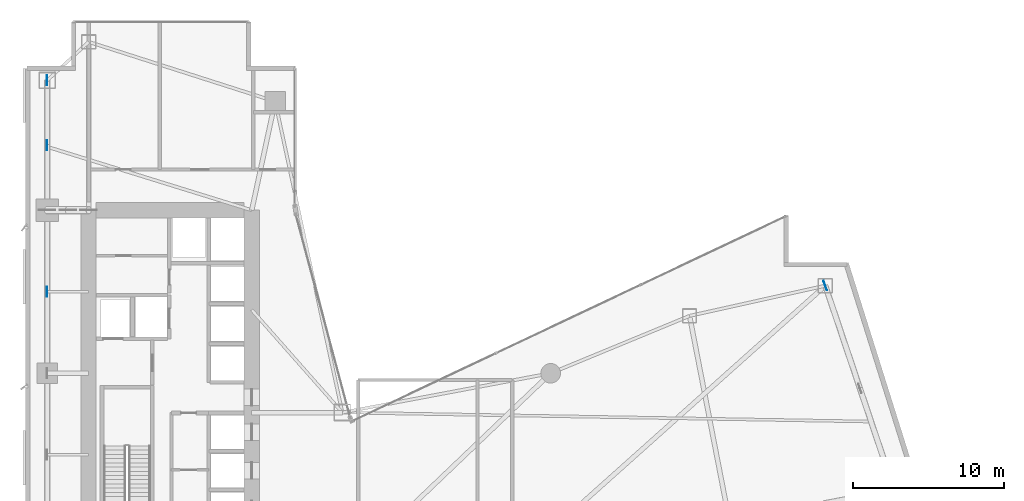
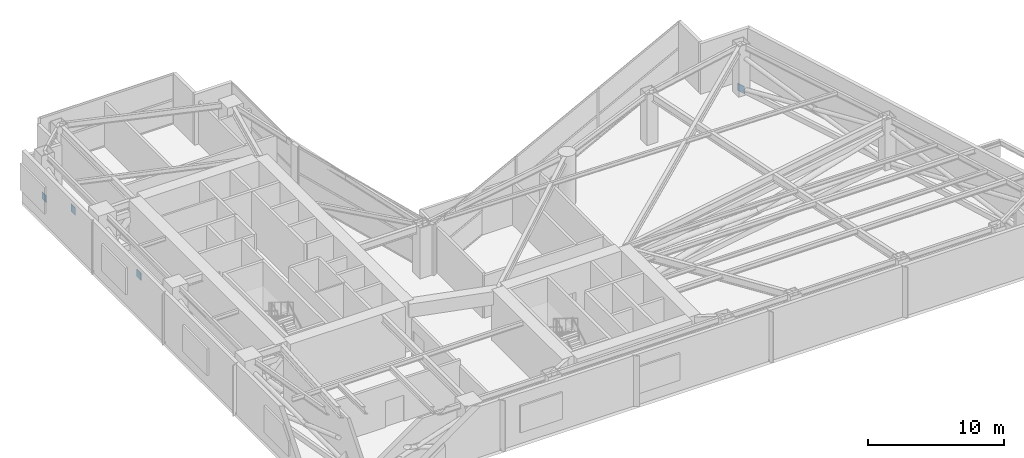
# One storey, part 12 of 18: 4 plates.
"""IFC4 building model written with IfcOpenShell, lengths in metres."""

from ifc_helpers import new_model, si_unit, direction, frame, origin, origin_2d, place, context, subcontext, project, spatial, rectangle, extrude, material, layer, layer_set, type_object, element, save


model = new_model("IFC4")

# Units and contexts
model_context = context("Model", 3, precision=1e-05, world=origin(), true_north=direction((0.0, 1.0)))
body_context = subcontext(model_context, "Body", "Model", "MODEL_VIEW")
ifc_project = project(units=[si_unit("LENGTHUNIT", "METRE"), si_unit("AREAUNIT", "SQUARE_METRE"), si_unit("VOLUMEUNIT", "CUBIC_METRE"), si_unit("PLANEANGLEUNIT", "RADIAN"), si_unit("MASSUNIT", "GRAM", prefix="KILO")], contexts=[model_context])

# Site, building, storey
site_placement = place(None, origin())
site = spatial("IfcSite", under=ifc_project, at=site_placement, CompositionType="ELEMENT")
building_placement = place(site_placement, origin())
building = spatial("IfcBuilding", under=site, at=building_placement, Name="Calvorn Quay Hotel", CompositionType="ELEMENT")
storey_placement = place(building_placement, frame((0.0, 0.0, 46.0)))
storey = spatial("IfcBuildingStorey", under=building, at=storey_placement, Name="L10", CompositionType="ELEMENT", Elevation=46.0)

# Plates
ifc_material = material(Name="Steel Q390GJC", Category="steel")
ifc_layer = layer(ifc_material, 0.035888671875)
ifc_layer_set = layer_set([ifc_layer], Name="PLT-GUSSET-36")
plate_type = type_object("IfcPlateType", Name="PLT-GUSSET-36", PredefinedType="SHEET", material=ifc_layer_set)
for number, where, z_axis, x_axis, name in (
    (1, (1.449951171875, 33.0, 1.52001953125), (0.0, 0.0, 1.0), (0.0, 1.0, 0.0), "Belt Truss Gusset Plate L10-BW3-X"),
    (2, (1.449951171875, 42.699951171875, 1.52001953125), (0.0, 0.0, 1.0), (0.0, 1.0, 0.0), "Belt Truss Gusset Plate L10-BW4-X"),
    (3, (1.449951171875, 47.0, 0.025146484375), (0.0, 0.0, 1.0), (0.0, 1.0, 0.0), "Belt Truss Gusset Plate L10-BW4-B"),
    (4, (52.990966796875, 33.39990234375, 0.025146484375), (0.0, 0.0, 1.0), (-0.319455515932, 0.947601273395, 0.0), "Belt Truss Gusset Plate L10-BE2-B"),
):
    element("IfcPlate", number, at=place(storey_placement, frame(where, z_axis=z_axis, x_axis=x_axis)), inside=storey, type_object=plate_type, Name=name, PredefinedType="SHEET", context=body_context, shape_type="SweptSolid", body=[
        extrude(rectangle(XDim=0.64990234375, YDim=0.035888671875, at=origin_2d()), origin(), (0.0, 0.0, 1.0), 0.64990234375),
    ])

save(model, "model.ifc")
